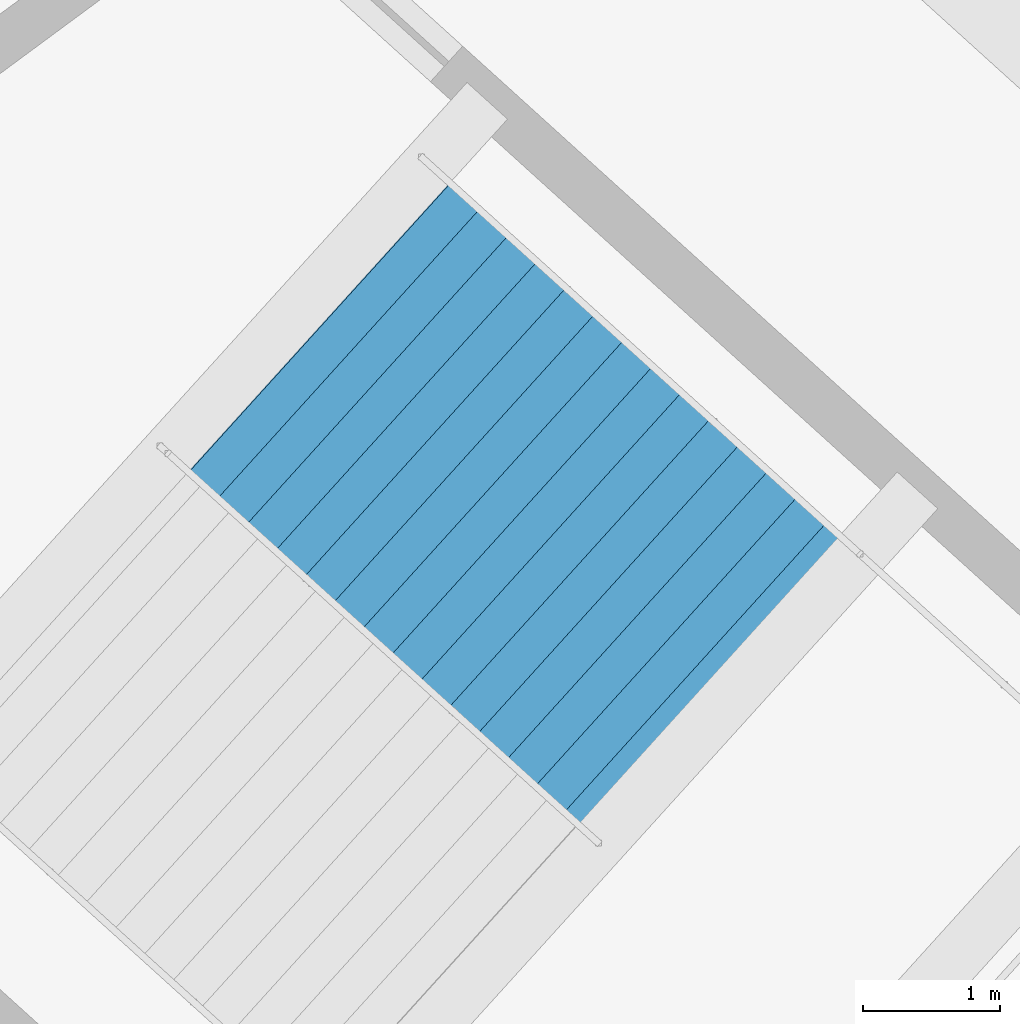
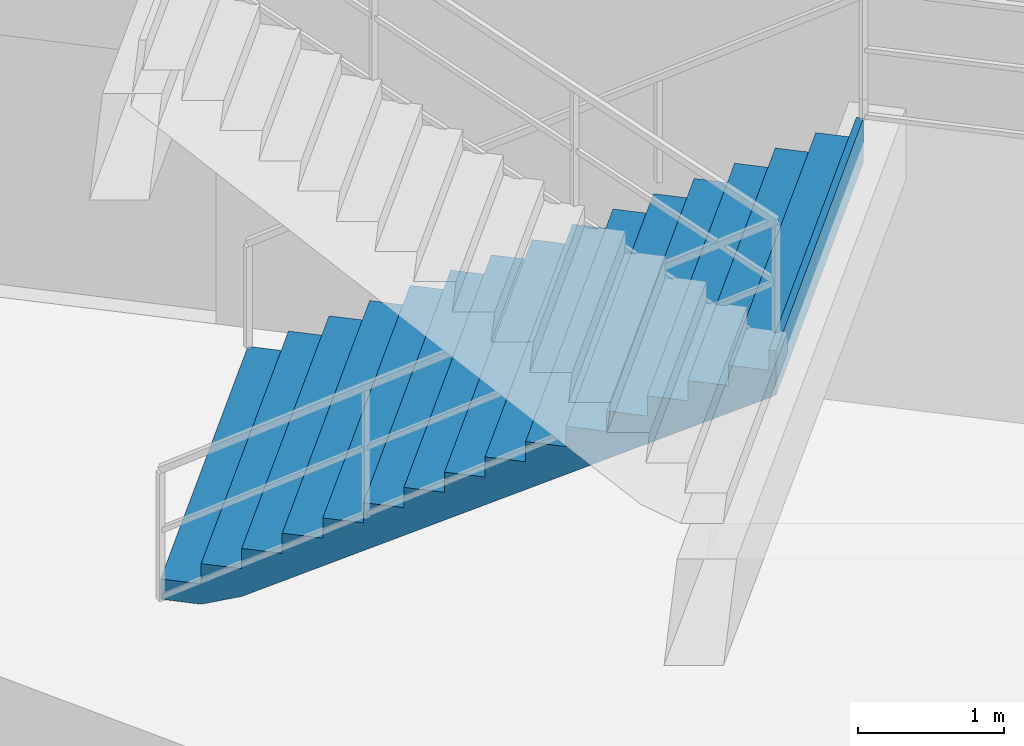
# One storey, part 20 of 49: 1 stair flight, 1 element without a shape of its own.
"""IFC4 building model written with IfcOpenShell, lengths in metres."""

from ifc_helpers import new_model, si_unit, direction, frame, origin, place, context, subcontext, project, spatial, polygons, material, type_object, element, aggregate, save


model = new_model("IFC4")

# Units and contexts
model_context = context("Model", 3, precision=1e-05, world=origin(), true_north=direction((0.0, 1.0)))
body_context = subcontext(model_context, "Body", "Model", "MODEL_VIEW")
ifc_project = project(units=[si_unit("LENGTHUNIT", "METRE"), si_unit("AREAUNIT", "SQUARE_METRE"), si_unit("VOLUMEUNIT", "CUBIC_METRE"), si_unit("PLANEANGLEUNIT", "RADIAN"), si_unit("MASSUNIT", "GRAM", prefix="KILO")], contexts=[model_context])

# Site, building, storey
site_placement = place(None, origin())
site = spatial("IfcSite", under=ifc_project, at=site_placement, CompositionType="ELEMENT")
building_placement = place(site_placement, origin())
building = spatial("IfcBuilding", under=site, at=building_placement, Name="Kazemori Nagisa Stadium", CompositionType="ELEMENT")
storey_placement = place(building_placement, frame((0.0, 0.0, -5.43994140625)))
storey = spatial("IfcBuildingStorey", under=building, at=storey_placement, Name="B1", CompositionType="ELEMENT", Elevation=-5.43994140625)

# Stair, stair flight
ifc_material = material(Name="Concrete C36/45 (Fc36)", Category="concrete")
stair_type = type_object("IfcStairType", Name="Stair_CORE_32", PredefinedType="TWO_STRAIGHT_RUN_STAIR", material=ifc_material)
stair_placement = place(storey_placement, origin())
stair = element("IfcStair", 1, at=stair_placement, inside=storey, type_object=stair_type, Name="Exit stair ST03 B1", PredefinedType="TWO_STRAIGHT_RUN_STAIR")
stair_flight_type = type_object("IfcStairFlightType", Name="Flight_CORE_16", PredefinedType="STRAIGHT", material=ifc_material)
stair_flight_placement = place(storey_placement, frame((54.10791015625, 47.6630859375, 0.0), z_axis=(0.0, 0.0, 1.0), x_axis=(0.741354464355, -0.671113670089, 0.0)))
stair_flight = element("IfcStairFlight", 2, at=stair_flight_placement, type_object=stair_flight_type, Name="Exit stair ST03 B1 flight 1", NumberOfRisers=16, NumberOfTreads=15, PredefinedType="STRAIGHT", RiserHeight=0.17, TreadLength=0.285, context=body_context, shape_type="Tessellation", body=[
    polygons([(0.0, -1.425048828125, 0.0), (0.0, -1.425048828125, 0.169921875), (0.284912109375, -1.425048828125, 0.169921875), (0.284912109375, -1.425048828125, 0.340087890625), (0.570068359375, -1.425048828125, 0.340087890625), (0.570068359375, -1.425048828125, 0.510009765625), (0.85498046875, -1.425048828125, 0.510009765625), (0.85498046875, -1.425048828125, 0.679931640625), (1.139892578125, -1.425048828125, 0.679931640625), (1.139892578125, -1.425048828125, 0.85009765625), (1.425048828125, -1.425048828125, 0.85009765625), (1.425048828125, -1.425048828125, 1.02001953125), (1.7099609375, -1.425048828125, 1.02001953125), (1.7099609375, -1.425048828125, 1.18994140625), (1.9951171875, -1.425048828125, 1.18994140625), (1.9951171875, -1.425048828125, 1.360107421875), (2.280029296875, -1.425048828125, 1.360107421875), (2.280029296875, -1.425048828125, 1.530029296875), (2.56494140625, -1.425048828125, 1.530029296875), (2.56494140625, -1.425048828125, 1.699951171875), (2.85009765625, -1.425048828125, 1.699951171875), (2.85009765625, -1.425048828125, 1.8701171875), (3.135009765625, -1.425048828125, 1.8701171875), (3.135009765625, -1.425048828125, 2.0400390625), (3.419921875, -1.425048828125, 2.0400390625), (3.419921875, -1.425048828125, 2.2099609375), (3.705078125, -1.425048828125, 2.2099609375), (3.705078125, -1.425048828125, 2.3798828125), (3.989990234375, -1.425048828125, 2.3798828125), (3.989990234375, -1.425048828125, 2.550048828125), (4.27490234375, -1.425048828125, 2.550048828125), (4.27490234375, -1.425048828125, 2.719970703125), (4.324951171875, -1.425048828125, 2.719970703125), (4.324951171875, -1.425048828125, 2.346923828125), (4.27490234375, -1.425048828125, 2.317138671875), (3.989990234375, -1.425048828125, 2.147216796875), (3.705078125, -1.425048828125, 1.977294921875), (3.419921875, -1.425048828125, 1.80712890625), (3.135009765625, -1.425048828125, 1.63720703125), (2.85009765625, -1.425048828125, 1.46728515625), (2.56494140625, -1.425048828125, 1.297119140625), (2.280029296875, -1.425048828125, 1.127197265625), (1.9951171875, -1.425048828125, 0.957275390625), (1.7099609375, -1.425048828125, 0.787109375), (1.425048828125, -1.425048828125, 0.6171875), (1.139892578125, -1.425048828125, 0.447265625), (0.85498046875, -1.425048828125, 0.277099609375), (0.570068359375, -1.425048828125, 0.107177734375), (0.284912109375, -1.425048828125, 0.0), (0.0, -0.08544921875, 0.0), (0.0, -0.08544921875, 0.169921875), (0.284912109375, -0.08544921875, 0.169921875), (0.284912109375, -0.08544921875, 0.340087890625), (0.570068359375, -0.08544921875, 0.340087890625), (0.570068359375, -0.08544921875, 0.510009765625), (0.85498046875, -0.08544921875, 0.510009765625), (0.85498046875, -0.08544921875, 0.679931640625), (1.139892578125, -0.08544921875, 0.679931640625), (1.139892578125, -0.08544921875, 0.85009765625), (1.425048828125, -0.08544921875, 0.85009765625), (1.425048828125, -0.08544921875, 1.02001953125), (1.7099609375, -0.08544921875, 1.02001953125), (1.7099609375, -0.08544921875, 1.18994140625), (1.9951171875, -0.08544921875, 1.18994140625), (1.9951171875, -0.08544921875, 1.360107421875), (2.280029296875, -0.08544921875, 1.360107421875), (2.280029296875, -0.08544921875, 1.530029296875), (2.56494140625, -0.08544921875, 1.530029296875), (2.56494140625, -0.08544921875, 1.699951171875), (2.85009765625, -0.08544921875, 1.699951171875), (2.85009765625, -0.08544921875, 1.8701171875), (3.135009765625, -0.08544921875, 1.8701171875), (3.135009765625, -0.08544921875, 2.0400390625), (3.419921875, -0.08544921875, 2.0400390625), (3.419921875, -0.08544921875, 2.2099609375), (3.705078125, -0.08544921875, 2.2099609375), (3.705078125, -0.08544921875, 2.3798828125), (3.989990234375, -0.08544921875, 2.3798828125), (3.989990234375, -0.08544921875, 2.550048828125), (4.27490234375, -0.08544921875, 2.550048828125), (4.27490234375, -0.08544921875, 2.719970703125), (4.324951171875, -0.08544921875, 2.719970703125), (4.324951171875, -0.08544921875, 2.346923828125), (4.27490234375, -0.08544921875, 2.317138671875), (3.989990234375, -0.08544921875, 2.147216796875), (3.705078125, -0.08544921875, 1.977294921875), (3.419921875, -0.08544921875, 1.80712890625), (3.135009765625, -0.08544921875, 1.63720703125), (2.85009765625, -0.08544921875, 1.46728515625), (2.56494140625, -0.08544921875, 1.297119140625), (2.280029296875, -0.08544921875, 1.127197265625), (1.9951171875, -0.08544921875, 0.957275390625), (1.7099609375, -0.08544921875, 0.787109375), (1.425048828125, -0.08544921875, 0.6171875), (1.139892578125, -0.08544921875, 0.447265625), (0.85498046875, -0.08544921875, 0.277099609375), (0.570068359375, -0.08544921875, 0.107177734375), (0.284912109375, -0.08544921875, 0.0), (0.0, 0.0, 0.0), (0.0, 0.0, 0.169921875), (0.284912109375, 0.0, 0.169921875), (0.284912109375, 0.0, 0.340087890625), (0.570068359375, 0.0, 0.340087890625), (0.570068359375, 0.0, 0.510009765625), (0.85498046875, 0.0, 0.510009765625), (0.85498046875, 0.0, 0.679931640625), (1.139892578125, 0.0, 0.679931640625), (1.139892578125, 0.0, 0.85009765625), (1.425048828125, 0.0, 0.85009765625), (1.425048828125, 0.0, 1.02001953125), (1.7099609375, 0.0, 1.02001953125), (1.7099609375, 0.0, 1.18994140625), (1.9951171875, 0.0, 1.18994140625), (1.9951171875, 0.0, 1.360107421875), (2.280029296875, 0.0, 1.360107421875), (2.280029296875, 0.0, 1.530029296875), (2.56494140625, 0.0, 1.530029296875), (2.56494140625, 0.0, 1.699951171875), (2.85009765625, 0.0, 1.699951171875), (2.85009765625, 0.0, 1.8701171875), (3.135009765625, 0.0, 1.8701171875), (3.135009765625, 0.0, 2.0400390625), (3.419921875, 0.0, 2.0400390625), (3.419921875, 0.0, 2.2099609375), (3.705078125, 0.0, 2.2099609375), (3.705078125, 0.0, 2.3798828125), (3.989990234375, 0.0, 2.3798828125), (3.989990234375, 0.0, 2.550048828125), (4.27490234375, 0.0, 2.550048828125), (4.27490234375, 0.0, 2.719970703125), (4.324951171875, 0.0, 2.719970703125), (4.324951171875, 0.0, 2.346923828125), (4.27490234375, 0.0, 2.317138671875), (3.989990234375, 0.0, 2.147216796875), (3.705078125, 0.0, 1.977294921875), (3.419921875, 0.0, 1.80712890625), (3.135009765625, 0.0, 1.63720703125), (2.85009765625, 0.0, 1.46728515625), (2.56494140625, 0.0, 1.297119140625), (2.280029296875, 0.0, 1.127197265625), (1.9951171875, 0.0, 0.957275390625), (1.7099609375, 0.0, 0.787109375), (1.425048828125, 0.0, 0.6171875), (1.139892578125, 0.0, 0.447265625), (0.85498046875, 0.0, 0.277099609375), (0.570068359375, 0.0, 0.107177734375), (0.284912109375, 0.0, 0.0), (0.0, 0.08544921875, 0.0), (0.0, 0.08544921875, 0.169921875), (0.284912109375, 0.08544921875, 0.169921875), (0.284912109375, 0.08544921875, 0.340087890625), (0.570068359375, 0.08544921875, 0.340087890625), (0.570068359375, 0.08544921875, 0.510009765625), (0.85498046875, 0.08544921875, 0.510009765625), (0.85498046875, 0.08544921875, 0.679931640625), (1.139892578125, 0.08544921875, 0.679931640625), (1.139892578125, 0.08544921875, 0.85009765625), (1.425048828125, 0.08544921875, 0.85009765625), (1.425048828125, 0.08544921875, 1.02001953125), (1.7099609375, 0.08544921875, 1.02001953125), (1.7099609375, 0.08544921875, 1.18994140625), (1.9951171875, 0.08544921875, 1.18994140625), (1.9951171875, 0.08544921875, 1.360107421875), (2.280029296875, 0.08544921875, 1.360107421875), (2.280029296875, 0.08544921875, 1.530029296875), (2.56494140625, 0.08544921875, 1.530029296875), (2.56494140625, 0.08544921875, 1.699951171875), (2.85009765625, 0.08544921875, 1.699951171875), (2.85009765625, 0.08544921875, 1.8701171875), (3.135009765625, 0.08544921875, 1.8701171875), (3.135009765625, 0.08544921875, 2.0400390625), (3.419921875, 0.08544921875, 2.0400390625), (3.419921875, 0.08544921875, 2.2099609375), (3.705078125, 0.08544921875, 2.2099609375), (3.705078125, 0.08544921875, 2.3798828125), (3.989990234375, 0.08544921875, 2.3798828125), (3.989990234375, 0.08544921875, 2.550048828125), (4.27490234375, 0.08544921875, 2.550048828125), (4.27490234375, 0.08544921875, 2.719970703125), (4.324951171875, 0.08544921875, 2.719970703125), (4.324951171875, 0.08544921875, 2.346923828125), (4.27490234375, 0.08544921875, 2.317138671875), (3.989990234375, 0.08544921875, 2.147216796875), (3.705078125, 0.08544921875, 1.977294921875), (3.419921875, 0.08544921875, 1.80712890625), (3.135009765625, 0.08544921875, 1.63720703125), (2.85009765625, 0.08544921875, 1.46728515625), (2.56494140625, 0.08544921875, 1.297119140625), (2.280029296875, 0.08544921875, 1.127197265625), (1.9951171875, 0.08544921875, 0.957275390625), (1.7099609375, 0.08544921875, 0.787109375), (1.425048828125, 0.08544921875, 0.6171875), (1.139892578125, 0.08544921875, 0.447265625), (0.85498046875, 0.08544921875, 0.277099609375), (0.570068359375, 0.08544921875, 0.107177734375), (0.284912109375, 0.08544921875, 0.0), (0.0, 1.425048828125, 0.0), (0.0, 1.425048828125, 0.169921875), (0.284912109375, 1.425048828125, 0.169921875), (0.284912109375, 1.425048828125, 0.340087890625), (0.570068359375, 1.425048828125, 0.340087890625), (0.570068359375, 1.425048828125, 0.510009765625), (0.85498046875, 1.425048828125, 0.510009765625), (0.85498046875, 1.425048828125, 0.679931640625), (1.139892578125, 1.425048828125, 0.679931640625), (1.139892578125, 1.425048828125, 0.85009765625), (1.425048828125, 1.425048828125, 0.85009765625), (1.425048828125, 1.425048828125, 1.02001953125), (1.7099609375, 1.425048828125, 1.02001953125), (1.7099609375, 1.425048828125, 1.18994140625), (1.9951171875, 1.425048828125, 1.18994140625), (1.9951171875, 1.425048828125, 1.360107421875), (2.280029296875, 1.425048828125, 1.360107421875), (2.280029296875, 1.425048828125, 1.530029296875), (2.56494140625, 1.425048828125, 1.530029296875), (2.56494140625, 1.425048828125, 1.699951171875), (2.85009765625, 1.425048828125, 1.699951171875), (2.85009765625, 1.425048828125, 1.8701171875), (3.135009765625, 1.425048828125, 1.8701171875), (3.135009765625, 1.425048828125, 2.0400390625), (3.419921875, 1.425048828125, 2.0400390625), (3.419921875, 1.425048828125, 2.2099609375), (3.705078125, 1.425048828125, 2.2099609375), (3.705078125, 1.425048828125, 2.3798828125), (3.989990234375, 1.425048828125, 2.3798828125), (3.989990234375, 1.425048828125, 2.550048828125), (4.27490234375, 1.425048828125, 2.550048828125), (4.27490234375, 1.425048828125, 2.719970703125), (4.324951171875, 1.425048828125, 2.719970703125), (4.324951171875, 1.425048828125, 2.346923828125), (4.27490234375, 1.425048828125, 2.317138671875), (3.989990234375, 1.425048828125, 2.147216796875), (3.705078125, 1.425048828125, 1.977294921875), (3.419921875, 1.425048828125, 1.80712890625), (3.135009765625, 1.425048828125, 1.63720703125), (2.85009765625, 1.425048828125, 1.46728515625), (2.56494140625, 1.425048828125, 1.297119140625), (2.280029296875, 1.425048828125, 1.127197265625), (1.9951171875, 1.425048828125, 0.957275390625), (1.7099609375, 1.425048828125, 0.787109375), (1.425048828125, 1.425048828125, 0.6171875), (1.139892578125, 1.425048828125, 0.447265625), (0.85498046875, 1.425048828125, 0.277099609375), (0.570068359375, 1.425048828125, 0.107177734375), (0.284912109375, 1.425048828125, 0.0)], [[[1, 2, 51]], [[1, 51, 50]], [[2, 3, 52]], [[2, 52, 51]], [[3, 4, 53]], [[3, 53, 52]], [[4, 5, 54]], [[4, 54, 53]], [[5, 6, 55]], [[5, 55, 54]], [[6, 7, 56]], [[6, 56, 55]], [[7, 8, 57]], [[7, 57, 56]], [[8, 9, 58]], [[8, 58, 57]], [[9, 10, 59]], [[9, 59, 58]], [[10, 11, 60]], [[10, 60, 59]], [[11, 12, 61]], [[11, 61, 60]], [[12, 13, 62]], [[12, 62, 61]], [[13, 14, 63]], [[13, 63, 62]], [[14, 15, 64]], [[14, 64, 63]], [[15, 16, 65]], [[15, 65, 64]], [[16, 17, 66]], [[16, 66, 65]], [[17, 18, 67]], [[17, 67, 66]], [[18, 19, 68]], [[18, 68, 67]], [[19, 20, 69]], [[19, 69, 68]], [[20, 21, 70]], [[20, 70, 69]], [[21, 22, 71]], [[21, 71, 70]], [[22, 23, 72]], [[22, 72, 71]], [[23, 24, 73]], [[23, 73, 72]], [[24, 25, 74]], [[24, 74, 73]], [[25, 26, 75]], [[25, 75, 74]], [[26, 27, 76]], [[26, 76, 75]], [[27, 28, 77]], [[27, 77, 76]], [[28, 29, 78]], [[28, 78, 77]], [[29, 30, 79]], [[29, 79, 78]], [[30, 31, 80]], [[30, 80, 79]], [[31, 32, 81]], [[31, 81, 80]], [[32, 33, 82]], [[32, 82, 81]], [[33, 34, 83]], [[33, 83, 82]], [[34, 35, 84]], [[34, 84, 83]], [[35, 36, 85]], [[35, 85, 84]], [[36, 37, 86]], [[36, 86, 85]], [[37, 38, 87]], [[37, 87, 86]], [[38, 39, 88]], [[38, 88, 87]], [[39, 40, 89]], [[39, 89, 88]], [[40, 41, 90]], [[40, 90, 89]], [[41, 42, 91]], [[41, 91, 90]], [[42, 43, 92]], [[42, 92, 91]], [[43, 44, 93]], [[43, 93, 92]], [[44, 45, 94]], [[44, 94, 93]], [[45, 46, 95]], [[45, 95, 94]], [[46, 47, 96]], [[46, 96, 95]], [[47, 48, 97]], [[47, 97, 96]], [[48, 49, 98]], [[48, 98, 97]], [[49, 1, 50]], [[49, 50, 98]], [[50, 51, 100]], [[50, 100, 99]], [[51, 52, 101]], [[51, 101, 100]], [[52, 53, 102]], [[52, 102, 101]], [[53, 54, 103]], [[53, 103, 102]], [[54, 55, 104]], [[54, 104, 103]], [[55, 56, 105]], [[55, 105, 104]], [[56, 57, 106]], [[56, 106, 105]], [[57, 58, 107]], [[57, 107, 106]], [[58, 59, 108]], [[58, 108, 107]], [[59, 60, 109]], [[59, 109, 108]], [[60, 61, 110]], [[60, 110, 109]], [[61, 62, 111]], [[61, 111, 110]], [[62, 63, 112]], [[62, 112, 111]], [[63, 64, 113]], [[63, 113, 112]], [[64, 65, 114]], [[64, 114, 113]], [[65, 66, 115]], [[65, 115, 114]], [[66, 67, 116]], [[66, 116, 115]], [[67, 68, 117]], [[67, 117, 116]], [[68, 69, 118]], [[68, 118, 117]], [[69, 70, 119]], [[69, 119, 118]], [[70, 71, 120]], [[70, 120, 119]], [[71, 72, 121]], [[71, 121, 120]], [[72, 73, 122]], [[72, 122, 121]], [[73, 74, 123]], [[73, 123, 122]], [[74, 75, 124]], [[74, 124, 123]], [[75, 76, 125]], [[75, 125, 124]], [[76, 77, 126]], [[76, 126, 125]], [[77, 78, 127]], [[77, 127, 126]], [[78, 79, 128]], [[78, 128, 127]], [[79, 80, 129]], [[79, 129, 128]], [[80, 81, 130]], [[80, 130, 129]], [[81, 82, 131]], [[81, 131, 130]], [[82, 83, 132]], [[82, 132, 131]], [[83, 84, 133]], [[83, 133, 132]], [[84, 85, 134]], [[84, 134, 133]], [[85, 86, 135]], [[85, 135, 134]], [[86, 87, 136]], [[86, 136, 135]], [[87, 88, 137]], [[87, 137, 136]], [[88, 89, 138]], [[88, 138, 137]], [[89, 90, 139]], [[89, 139, 138]], [[90, 91, 140]], [[90, 140, 139]], [[91, 92, 141]], [[91, 141, 140]], [[92, 93, 142]], [[92, 142, 141]], [[93, 94, 143]], [[93, 143, 142]], [[94, 95, 144]], [[94, 144, 143]], [[95, 96, 145]], [[95, 145, 144]], [[96, 97, 146]], [[96, 146, 145]], [[97, 98, 147]], [[97, 147, 146]], [[98, 50, 99]], [[98, 99, 147]], [[99, 100, 149]], [[99, 149, 148]], [[100, 101, 150]], [[100, 150, 149]], [[101, 102, 151]], [[101, 151, 150]], [[102, 103, 152]], [[102, 152, 151]], [[103, 104, 153]], [[103, 153, 152]], [[104, 105, 154]], [[104, 154, 153]], [[105, 106, 155]], [[105, 155, 154]], [[106, 107, 156]], [[106, 156, 155]], [[107, 108, 157]], [[107, 157, 156]], [[108, 109, 158]], [[108, 158, 157]], [[109, 110, 159]], [[109, 159, 158]], [[110, 111, 160]], [[110, 160, 159]], [[111, 112, 161]], [[111, 161, 160]], [[112, 113, 162]], [[112, 162, 161]], [[113, 114, 163]], [[113, 163, 162]], [[114, 115, 164]], [[114, 164, 163]], [[115, 116, 165]], [[115, 165, 164]], [[116, 117, 166]], [[116, 166, 165]], [[117, 118, 167]], [[117, 167, 166]], [[118, 119, 168]], [[118, 168, 167]], [[119, 120, 169]], [[119, 169, 168]], [[120, 121, 170]], [[120, 170, 169]], [[121, 122, 171]], [[121, 171, 170]], [[122, 123, 172]], [[122, 172, 171]], [[123, 124, 173]], [[123, 173, 172]], [[124, 125, 174]], [[124, 174, 173]], [[125, 126, 175]], [[125, 175, 174]], [[126, 127, 176]], [[126, 176, 175]], [[127, 128, 177]], [[127, 177, 176]], [[128, 129, 178]], [[128, 178, 177]], [[129, 130, 179]], [[129, 179, 178]], [[130, 131, 180]], [[130, 180, 179]], [[131, 132, 181]], [[131, 181, 180]], [[132, 133, 182]], [[132, 182, 181]], [[133, 134, 183]], [[133, 183, 182]], [[134, 135, 184]], [[134, 184, 183]], [[135, 136, 185]], [[135, 185, 184]], [[136, 137, 186]], [[136, 186, 185]], [[137, 138, 187]], [[137, 187, 186]], [[138, 139, 188]], [[138, 188, 187]], [[139, 140, 189]], [[139, 189, 188]], [[140, 141, 190]], [[140, 190, 189]], [[141, 142, 191]], [[141, 191, 190]], [[142, 143, 192]], [[142, 192, 191]], [[143, 144, 193]], [[143, 193, 192]], [[144, 145, 194]], [[144, 194, 193]], [[145, 146, 195]], [[145, 195, 194]], [[146, 147, 196]], [[146, 196, 195]], [[147, 99, 148]], [[147, 148, 196]], [[148, 149, 198]], [[148, 198, 197]], [[149, 150, 199]], [[149, 199, 198]], [[150, 151, 200]], [[150, 200, 199]], [[151, 152, 201]], [[151, 201, 200]], [[152, 153, 202]], [[152, 202, 201]], [[153, 154, 203]], [[153, 203, 202]], [[154, 155, 204]], [[154, 204, 203]], [[155, 156, 205]], [[155, 205, 204]], [[156, 157, 206]], [[156, 206, 205]], [[157, 158, 207]], [[157, 207, 206]], [[158, 159, 208]], [[158, 208, 207]], [[159, 160, 209]], [[159, 209, 208]], [[160, 161, 210]], [[160, 210, 209]], [[161, 162, 211]], [[161, 211, 210]], [[162, 163, 212]], [[162, 212, 211]], [[163, 164, 213]], [[163, 213, 212]], [[164, 165, 214]], [[164, 214, 213]], [[165, 166, 215]], [[165, 215, 214]], [[166, 167, 216]], [[166, 216, 215]], [[167, 168, 217]], [[167, 217, 216]], [[168, 169, 218]], [[168, 218, 217]], [[169, 170, 219]], [[169, 219, 218]], [[170, 171, 220]], [[170, 220, 219]], [[171, 172, 221]], [[171, 221, 220]], [[172, 173, 222]], [[172, 222, 221]], [[173, 174, 223]], [[173, 223, 222]], [[174, 175, 224]], [[174, 224, 223]], [[175, 176, 225]], [[175, 225, 224]], [[176, 177, 226]], [[176, 226, 225]], [[177, 178, 227]], [[177, 227, 226]], [[178, 179, 228]], [[178, 228, 227]], [[179, 180, 229]], [[179, 229, 228]], [[180, 181, 230]], [[180, 230, 229]], [[181, 182, 231]], [[181, 231, 230]], [[182, 183, 232]], [[182, 232, 231]], [[183, 184, 233]], [[183, 233, 232]], [[184, 185, 234]], [[184, 234, 233]], [[185, 186, 235]], [[185, 235, 234]], [[186, 187, 236]], [[186, 236, 235]], [[187, 188, 237]], [[187, 237, 236]], [[188, 189, 238]], [[188, 238, 237]], [[189, 190, 239]], [[189, 239, 238]], [[190, 191, 240]], [[190, 240, 239]], [[191, 192, 241]], [[191, 241, 240]], [[192, 193, 242]], [[192, 242, 241]], [[193, 194, 243]], [[193, 243, 242]], [[194, 195, 244]], [[194, 244, 243]], [[195, 196, 245]], [[195, 245, 244]], [[196, 148, 197]], [[196, 197, 245]], [[3, 2, 1]], [[197, 198, 199]], [[49, 3, 1]], [[197, 199, 245]], [[48, 3, 49]], [[245, 199, 244]], [[5, 3, 48]], [[244, 199, 201]], [[5, 4, 3]], [[199, 200, 201]], [[47, 5, 48]], [[244, 201, 243]], [[7, 5, 47]], [[243, 201, 203]], [[7, 6, 5]], [[201, 202, 203]], [[46, 7, 47]], [[243, 203, 242]], [[9, 7, 46]], [[242, 203, 205]], [[9, 8, 7]], [[203, 204, 205]], [[45, 9, 46]], [[242, 205, 241]], [[11, 9, 45]], [[241, 205, 207]], [[11, 10, 9]], [[205, 206, 207]], [[44, 11, 45]], [[241, 207, 240]], [[13, 11, 44]], [[240, 207, 209]], [[13, 12, 11]], [[207, 208, 209]], [[43, 13, 44]], [[240, 209, 239]], [[15, 13, 43]], [[239, 209, 211]], [[15, 14, 13]], [[209, 210, 211]], [[42, 15, 43]], [[239, 211, 238]], [[17, 15, 42]], [[238, 211, 213]], [[17, 16, 15]], [[211, 212, 213]], [[41, 17, 42]], [[238, 213, 237]], [[19, 17, 41]], [[237, 213, 215]], [[19, 18, 17]], [[213, 214, 215]], [[40, 19, 41]], [[237, 215, 236]], [[21, 19, 40]], [[236, 215, 217]], [[21, 20, 19]], [[215, 216, 217]], [[39, 21, 40]], [[236, 217, 235]], [[23, 21, 39]], [[235, 217, 219]], [[23, 22, 21]], [[217, 218, 219]], [[38, 23, 39]], [[235, 219, 234]], [[25, 23, 38]], [[234, 219, 221]], [[25, 24, 23]], [[219, 220, 221]], [[37, 25, 38]], [[234, 221, 233]], [[27, 25, 37]], [[233, 221, 223]], [[27, 26, 25]], [[221, 222, 223]], [[36, 27, 37]], [[233, 223, 232]], [[29, 27, 36]], [[232, 223, 225]], [[29, 28, 27]], [[223, 224, 225]], [[35, 29, 36]], [[232, 225, 231]], [[31, 29, 35]], [[231, 225, 227]], [[31, 30, 29]], [[225, 226, 227]], [[34, 31, 35]], [[231, 227, 230]], [[33, 31, 34]], [[230, 227, 229]], [[33, 32, 31]], [[227, 228, 229]]], closed=True),
])
aggregate(stair, [stair_flight])

save(model, "model.ifc")
